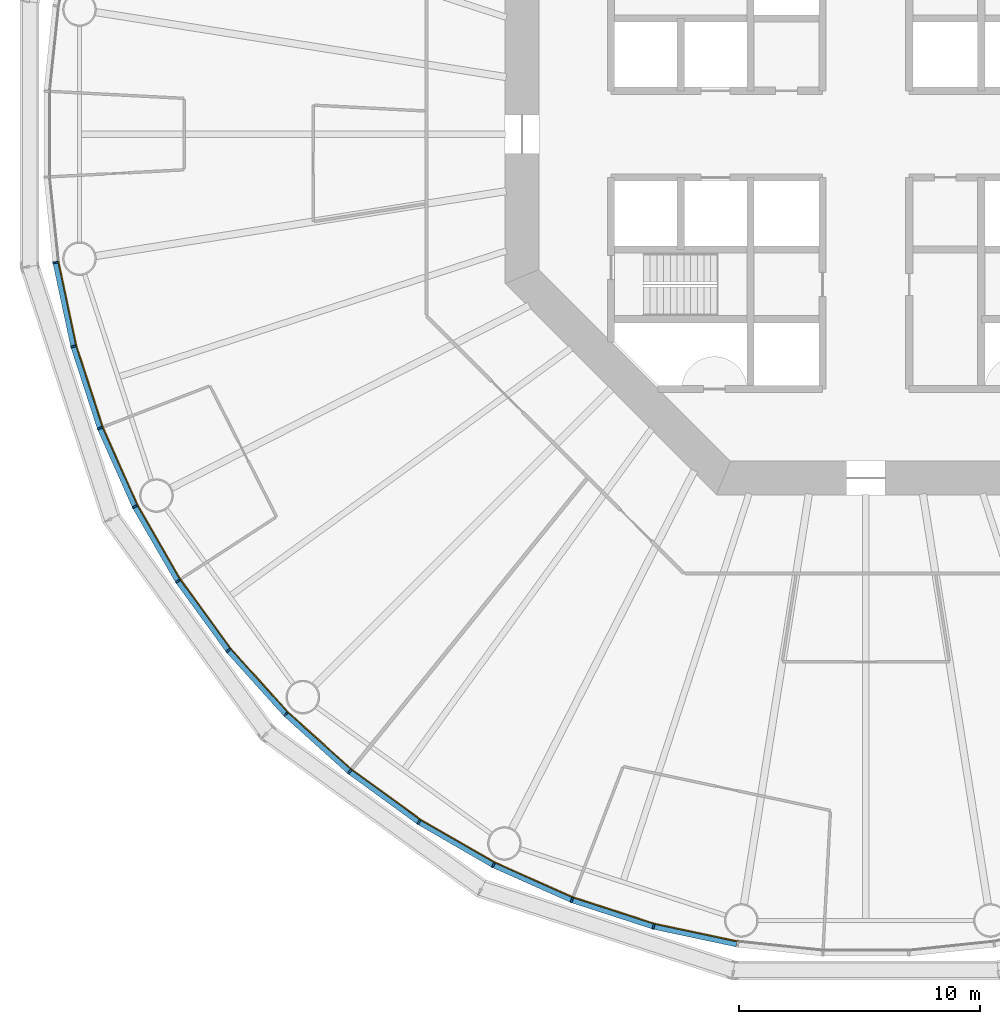
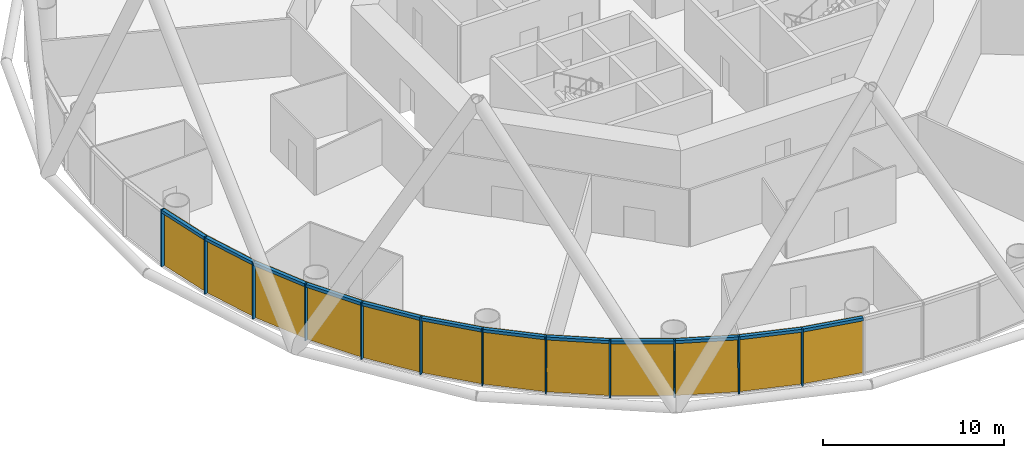
# One storey, part 7 of 13: 24 members, 4 curtain walls.
"""IFC4 building model written with IfcOpenShell, lengths in metres."""

from ifc_helpers import new_model, si_unit, direction, frame, origin, origin_2d, place, context, subcontext, project, spatial, polyline, rectangle, outline, extrude, material, layer, layer_set, material_profile, profile_set, type_object, element, aggregate, save


model = new_model("IFC4")

# Units and contexts
model_context = context("Model", 3, precision=1e-05, world=origin(), true_north=direction((0.0, 1.0)))
body_context = subcontext(model_context, "Body", "Model", "MODEL_VIEW")
ifc_project = project(units=[si_unit("LENGTHUNIT", "METRE"), si_unit("AREAUNIT", "SQUARE_METRE"), si_unit("VOLUMEUNIT", "CUBIC_METRE"), si_unit("PLANEANGLEUNIT", "RADIAN"), si_unit("MASSUNIT", "GRAM", prefix="KILO")], contexts=[model_context])

# Member
ifc_material_1 = material(Name="Anodised aluminium", Category="aluminium")
ifc_material_profile_1 = material_profile(ifc_material_1, rectangle(XDim=0.074951171875, YDim=0.219970703125, at=origin_2d()), Name="Mullion 75 x 220 mm anodised aluminium")
ifc_profile_set_1 = profile_set([ifc_material_profile_1], Name="Anodised aluminium")
member_type_1 = type_object("IfcMemberType", Name="Mullion 75 x 220 mm anodised aluminium", PredefinedType="MULLION", material=ifc_profile_set_1)
site_placement = place(None, origin())
building_placement = place(site_placement, origin())
storey_placement = place(building_placement, frame((0.0, 0.0, 54.0)))
member_1_placement = place(storey_placement, frame((56.31005859375, 74.6640625, 0.0), z_axis=(0.0, 0.0, 1.0), x_axis=(0.15643446504, -0.987688340595, 0.0)))
member_1 = element("IfcMember", 1, at=member_1_placement, type_object=member_type_1, Name="MULLION L11-30", PredefinedType="MULLION", context=body_context, shape_type="SweptSolid", body=[
    extrude(rectangle(XDim=0.074951171875, YDim=0.219970703125, at=origin_2d()), origin(), (0.0, 0.0, 1.0), 3.85009765625),
])

member_2_placement = place(storey_placement, frame((57.05224609375, 71.171630859375, 0.0), z_axis=(0.0, 0.0, 1.0), x_axis=(0.258819045103, -0.965925826289, 0.0)))
member_2 = element("IfcMember", 2, at=member_2_placement, type_object=member_type_1, Name="MULLION L11-31", PredefinedType="MULLION", context=body_context, shape_type="SweptSolid", body=[
    extrude(rectangle(XDim=0.074951171875, YDim=0.219970703125, at=origin_2d()), origin(), (0.0, 0.0, 1.0), 3.85009765625),
])

member_3_placement = place(storey_placement, frame((58.155517578125, 67.776123046875, 0.0), z_axis=(0.0, 0.0, 1.0), x_axis=(0.358367949545, -0.933580426497, 0.0)))
member_3 = element("IfcMember", 3, at=member_3_placement, type_object=member_type_1, Name="MULLION L11-32", PredefinedType="MULLION", context=body_context, shape_type="SweptSolid", body=[
    extrude(rectangle(XDim=0.074951171875, YDim=0.219970703125, at=origin_2d()), origin(), (0.0, 0.0, 1.0), 3.85009765625),
])

member_4_placement = place(storey_placement, frame((59.607666015625, 64.514404296875, 0.0), z_axis=(0.0, 0.0, 1.0), x_axis=(0.45399049974, -0.891006524188, 0.0)))
member_4 = element("IfcMember", 4, at=member_4_placement, type_object=member_type_1, Name="MULLION L11-33", PredefinedType="MULLION", context=body_context, shape_type="SweptSolid", body=[
    extrude(rectangle(XDim=0.074951171875, YDim=0.219970703125, at=origin_2d()), origin(), (0.0, 0.0, 1.0), 3.85009765625),
])

member_5_placement = place(storey_placement, frame((61.39306640625, 61.42236328125, 0.0), z_axis=(0.0, 0.0, 1.0), x_axis=(0.544639035015, -0.838670567945, 0.0)))
member_5 = element("IfcMember", 5, at=member_5_placement, type_object=member_type_1, Name="MULLION L11-34", PredefinedType="MULLION", context=body_context, shape_type="SweptSolid", body=[
    extrude(rectangle(XDim=0.074951171875, YDim=0.219970703125, at=origin_2d()), origin(), (0.0, 0.0, 1.0), 3.85009765625),
])

member_6_placement = place(storey_placement, frame((63.491455078125, 58.533935546875, 0.0), z_axis=(0.0, 0.0, 1.0), x_axis=(0.62932039105, -0.777145961457, 0.0)))
member_6 = element("IfcMember", 6, at=member_6_placement, type_object=member_type_1, Name="MULLION L11-35", PredefinedType="MULLION", context=body_context, shape_type="SweptSolid", body=[
    extrude(rectangle(XDim=0.074951171875, YDim=0.219970703125, at=origin_2d()), origin(), (0.0, 0.0, 1.0), 3.85009765625),
])

member_7_placement = place(storey_placement, frame((65.880615234375, 55.880615234375, 0.0), z_axis=(0.0, 0.0, 1.0), x_axis=(0.707106781187, -0.707106781187, 0.0)))
member_7 = element("IfcMember", 7, at=member_7_placement, type_object=member_type_1, Name="MULLION L11-36", PredefinedType="MULLION", context=body_context, shape_type="SweptSolid", body=[
    extrude(rectangle(XDim=0.074951171875, YDim=0.219970703125, at=origin_2d()), origin(), (0.0, 0.0, 1.0), 3.85009765625),
])

member_8_placement = place(storey_placement, frame((68.533935546875, 53.491455078125, 0.0), z_axis=(0.0, 0.0, 1.0), x_axis=(0.777145961457, -0.62932039105, 0.0)))
member_8 = element("IfcMember", 8, at=member_8_placement, type_object=member_type_1, Name="MULLION L11-37", PredefinedType="MULLION", context=body_context, shape_type="SweptSolid", body=[
    extrude(rectangle(XDim=0.074951171875, YDim=0.219970703125, at=origin_2d()), origin(), (0.0, 0.0, 1.0), 3.85009765625),
])

member_9_placement = place(storey_placement, frame((71.42236328125, 51.39306640625, 0.0), z_axis=(0.0, 0.0, 1.0), x_axis=(0.838670567945, -0.544639035015, 0.0)))
member_9 = element("IfcMember", 9, at=member_9_placement, type_object=member_type_1, Name="MULLION L11-38", PredefinedType="MULLION", context=body_context, shape_type="SweptSolid", body=[
    extrude(rectangle(XDim=0.074951171875, YDim=0.219970703125, at=origin_2d()), origin(), (0.0, 0.0, 1.0), 3.85009765625),
])

member_10_placement = place(storey_placement, frame((74.514404296875, 49.607666015625, 0.0), z_axis=(0.0, 0.0, 1.0), x_axis=(0.891006524188, -0.45399049974, 0.0)))
member_10 = element("IfcMember", 10, at=member_10_placement, type_object=member_type_1, Name="MULLION L11-39", PredefinedType="MULLION", context=body_context, shape_type="SweptSolid", body=[
    extrude(rectangle(XDim=0.074951171875, YDim=0.219970703125, at=origin_2d()), origin(), (0.0, 0.0, 1.0), 3.85009765625),
])

member_11_placement = place(storey_placement, frame((77.776123046875, 48.155517578125, 0.0), z_axis=(0.0, 0.0, 1.0), x_axis=(0.933580426497, -0.358367949545, 0.0)))
member_11 = element("IfcMember", 11, at=member_11_placement, type_object=member_type_1, Name="MULLION L11-40", PredefinedType="MULLION", context=body_context, shape_type="SweptSolid", body=[
    extrude(rectangle(XDim=0.074951171875, YDim=0.219970703125, at=origin_2d()), origin(), (0.0, 0.0, 1.0), 3.85009765625),
])

member_12_placement = place(storey_placement, frame((81.171630859375, 47.05224609375, 0.0), z_axis=(0.0, 0.0, 1.0), x_axis=(0.965925826289, -0.258819045103, 0.0)))
member_12 = element("IfcMember", 12, at=member_12_placement, type_object=member_type_1, Name="MULLION L11-41", PredefinedType="MULLION", context=body_context, shape_type="SweptSolid", body=[
    extrude(rectangle(XDim=0.074951171875, YDim=0.219970703125, at=origin_2d()), origin(), (0.0, 0.0, 1.0), 3.85009765625),
])

ifc_material_2 = material(Name="Anodised aluminium", Category="aluminium")
ifc_material_profile_2 = material_profile(ifc_material_2, rectangle(XDim=0.219970703125, YDim=0.199951171875, at=origin_2d()), Name="Transom 200 x 220 mm anodised aluminium")
ifc_profile_set_2 = profile_set([ifc_material_profile_2], Name="Anodised aluminium")
member_type_2 = type_object("IfcMemberType", Name="Transom 200 x 220 mm anodised aluminium", PredefinedType="USERDEFINED", material=ifc_profile_set_2)
member_13_placement = place(storey_placement, frame((56.31884765625, 74.62158203125, 3.75), z_axis=(0.207920776701, -0.978145669426, 0.0), x_axis=(0.978145669426, 0.207920776701, 0.0)))
member_13 = element("IfcMember", 13, at=member_13_placement, type_object=member_type_2, Name="TRANSOM L11-30", ObjectType="TRANSOM", PredefinedType="USERDEFINED", context=body_context, shape_type="SweptSolid", body=[
    extrude(rectangle(XDim=0.219970703125, YDim=0.199951171875, at=origin_2d()), origin(), (0.0, 0.0, 1.0), 3.48388671875),
])

member_14_placement = place(storey_placement, frame((57.0654296875, 71.130615234375, 3.75), z_axis=(0.309029029702, -0.951052605696, 0.0), x_axis=(0.951052605696, 0.309029029702, 0.0)))
member_14 = element("IfcMember", 14, at=member_14_placement, type_object=member_type_2, Name="TRANSOM L11-31", ObjectType="TRANSOM", PredefinedType="USERDEFINED", context=body_context, shape_type="SweptSolid", body=[
    extrude(rectangle(XDim=0.219970703125, YDim=0.199951171875, at=origin_2d()), origin(), (0.0, 0.0, 1.0), 3.484130859375),
])

member_15_placement = place(storey_placement, frame((58.173095703125, 67.736572265625, 3.75), z_axis=(0.406736576304, -0.913545487371, 0.0), x_axis=(0.913545487371, 0.406736576304, 0.0)))
member_15 = element("IfcMember", 15, at=member_15_placement, type_object=member_type_2, Name="TRANSOM L11-32", ObjectType="TRANSOM", PredefinedType="USERDEFINED", context=body_context, shape_type="SweptSolid", body=[
    extrude(rectangle(XDim=0.219970703125, YDim=0.199951171875, at=origin_2d()), origin(), (0.0, 0.0, 1.0), 3.48388671875),
])

member_16_placement = place(storey_placement, frame((59.629150390625, 64.476806640625, 3.75), z_axis=(0.500005538244, -0.866022206254, 0.0), x_axis=(0.866022206254, 0.500005538244, 0.0)))
member_16 = element("IfcMember", 16, at=member_16_placement, type_object=member_type_2, Name="TRANSOM L11-33", ObjectType="TRANSOM", PredefinedType="USERDEFINED", context=body_context, shape_type="SweptSolid", body=[
    extrude(rectangle(XDim=0.219970703125, YDim=0.199951171875, at=origin_2d()), origin(), (0.0, 0.0, 1.0), 3.48388671875),
])

member_17_placement = place(storey_placement, frame((61.418212890625, 61.38720703125, 3.75), z_axis=(0.587821627006, -0.80899056535, 0.0), x_axis=(0.80899056535, 0.587821627006, 0.0)))
member_17 = element("IfcMember", 17, at=member_17_placement, type_object=member_type_2, Name="TRANSOM L11-34", ObjectType="TRANSOM", PredefinedType="USERDEFINED", context=body_context, shape_type="SweptSolid", body=[
    extrude(rectangle(XDim=0.219970703125, YDim=0.199951171875, at=origin_2d()), origin(), (0.0, 0.0, 1.0), 3.48388671875),
])

member_18_placement = place(storey_placement, frame((63.520263671875, 58.501708984375, 3.75), z_axis=(0.669138930974, -0.743137329876, 0.0), x_axis=(0.743137329876, 0.669138930974, 0.0)))
member_18 = element("IfcMember", 18, at=member_18_placement, type_object=member_type_2, Name="TRANSOM L11-35", ObjectType="TRANSOM", PredefinedType="USERDEFINED", context=body_context, shape_type="SweptSolid", body=[
    extrude(rectangle(XDim=0.219970703125, YDim=0.199951171875, at=origin_2d()), origin(), (0.0, 0.0, 1.0), 3.484130859375),
])

member_19_placement = place(storey_placement, frame((65.91259765625, 55.8515625, 3.75), z_axis=(0.743137329876, -0.669138930974, 0.0), x_axis=(0.669138930974, 0.743137329876, 0.0)))
member_19 = element("IfcMember", 19, at=member_19_placement, type_object=member_type_2, Name="TRANSOM L11-36", ObjectType="TRANSOM", PredefinedType="USERDEFINED", context=body_context, shape_type="SweptSolid", body=[
    extrude(rectangle(XDim=0.219970703125, YDim=0.199951171875, at=origin_2d()), origin(), (0.0, 0.0, 1.0), 3.484130859375),
])

member_20_placement = place(storey_placement, frame((68.56884765625, 53.466064453125, 3.75), z_axis=(0.80899056535, -0.587821627006, 0.0), x_axis=(0.587821627006, 0.80899056535, 0.0)))
member_20 = element("IfcMember", 20, at=member_20_placement, type_object=member_type_2, Name="TRANSOM L11-37", ObjectType="TRANSOM", PredefinedType="USERDEFINED", context=body_context, shape_type="SweptSolid", body=[
    extrude(rectangle(XDim=0.219970703125, YDim=0.199951171875, at=origin_2d()), origin(), (0.0, 0.0, 1.0), 3.48388671875),
])

member_21_placement = place(storey_placement, frame((71.459716796875, 51.37109375, 3.75), z_axis=(0.866022206254, -0.500005538244, 0.0), x_axis=(0.500005538244, 0.866022206254, 0.0)))
member_21 = element("IfcMember", 21, at=member_21_placement, type_object=member_type_2, Name="TRANSOM L11-38", ObjectType="TRANSOM", PredefinedType="USERDEFINED", context=body_context, shape_type="SweptSolid", body=[
    extrude(rectangle(XDim=0.219970703125, YDim=0.199951171875, at=origin_2d()), origin(), (0.0, 0.0, 1.0), 3.48388671875),
])

member_22_placement = place(storey_placement, frame((74.553955078125, 49.590087890625, 3.75), z_axis=(0.913545487371, -0.406736576304, 0.0), x_axis=(0.406736576304, 0.913545487371, 0.0)))
member_22 = element("IfcMember", 22, at=member_22_placement, type_object=member_type_2, Name="TRANSOM L11-39", ObjectType="TRANSOM", PredefinedType="USERDEFINED", context=body_context, shape_type="SweptSolid", body=[
    extrude(rectangle(XDim=0.219970703125, YDim=0.199951171875, at=origin_2d()), origin(), (0.0, 0.0, 1.0), 3.48388671875),
])

member_23_placement = place(storey_placement, frame((77.817138671875, 48.14208984375, 3.75), z_axis=(0.951052605696, -0.309029029702, 0.0), x_axis=(0.309029029702, 0.951052605696, 0.0)))
member_23 = element("IfcMember", 23, at=member_23_placement, type_object=member_type_2, Name="TRANSOM L11-40", ObjectType="TRANSOM", PredefinedType="USERDEFINED", context=body_context, shape_type="SweptSolid", body=[
    extrude(rectangle(XDim=0.219970703125, YDim=0.199951171875, at=origin_2d()), origin(), (0.0, 0.0, 1.0), 3.484130859375),
])

member_24_placement = place(storey_placement, frame((81.2138671875, 47.043212890625, 3.75), z_axis=(0.978145669426, -0.207920776701, 0.0), x_axis=(0.207920776701, 0.978145669426, 0.0)))
member_24 = element("IfcMember", 24, at=member_24_placement, type_object=member_type_2, Name="TRANSOM L11-41", ObjectType="TRANSOM", PredefinedType="USERDEFINED", context=body_context, shape_type="SweptSolid", body=[
    extrude(rectangle(XDim=0.219970703125, YDim=0.199951171875, at=origin_2d()), origin(), (0.0, 0.0, 1.0), 3.48388671875),
])

# Site, building, storey
site = spatial("IfcSite", under=ifc_project, at=site_placement, CompositionType="ELEMENT")
building = spatial("IfcBuilding", under=site, at=building_placement, Name="Entoto Ring Tower", CompositionType="ELEMENT")
storey = spatial("IfcBuildingStorey", under=building, at=storey_placement, Name="L11", CompositionType="ELEMENT", Elevation=54.0)

# Curtain wall
ifc_material_3 = material(Name="Clear low-iron glass", Category="glass")
ifc_layer = layer(ifc_material_3, 0.0400390625)
ifc_layer_set = layer_set([ifc_layer], Name="Clear low-iron glass")
curtain_wall_type = type_object("IfcCurtainWallType", Name="Curtain wall system CW1 glazing 40 mm", PredefinedType="NOTDEFINED", material=ifc_layer_set)
curtain_wall_1_placement = place(storey_placement, origin())
curtain_wall_1 = element("IfcCurtainWall", 25, at=curtain_wall_1_placement, inside=storey, type_object=curtain_wall_type, Name="CW1 L11-11", PredefinedType="NOTDEFINED", context=body_context, shape_type="SweptSolid", body=[
    extrude(outline(polyline([(56.418701171875, 74.68115234375), (57.158447265625, 71.2001953125), (58.25830078125, 67.8154296875), (59.705810546875, 64.564208984375), (59.741455078125, 64.58251953125), (58.295654296875, 67.829833984375), (57.197265625, 71.21044921875), (56.458251953125, 74.6875), (56.418701171875, 74.68115234375)])), origin(), (0.0, 0.0, 1.0), 3.85009765625),
])

aggregate(curtain_wall_1, [member_1, member_2, member_3, member_13, member_14, member_15])

curtain_wall_2_placement = place(storey_placement, origin())
curtain_wall_2 = element("IfcCurtainWall", 26, at=curtain_wall_2_placement, inside=storey, type_object=curtain_wall_type, Name="CW1 L11-12", PredefinedType="NOTDEFINED", context=body_context, shape_type="SweptSolid", body=[
    extrude(outline(polyline([(59.705810546875, 64.564208984375), (61.485107421875, 61.482177734375), (63.5771484375, 58.60302734375), (65.958251953125, 55.958251953125), (65.986572265625, 55.986572265625), (63.608154296875, 58.62841796875), (61.518798828125, 61.504150390625), (59.741455078125, 64.58251953125), (59.705810546875, 64.564208984375)])), origin(), (0.0, 0.0, 1.0), 3.85009765625),
])

aggregate(curtain_wall_2, [member_4, member_5, member_6, member_16, member_17, member_18])

curtain_wall_3_placement = place(storey_placement, origin())
curtain_wall_3 = element("IfcCurtainWall", 27, at=curtain_wall_3_placement, inside=storey, type_object=curtain_wall_type, Name="CW1 L11-13", PredefinedType="NOTDEFINED", context=body_context, shape_type="SweptSolid", body=[
    extrude(outline(polyline([(65.958251953125, 55.958251953125), (68.60302734375, 53.5771484375), (71.482177734375, 51.485107421875), (74.564208984375, 49.705810546875), (74.58251953125, 49.741455078125), (71.504150390625, 51.518798828125), (68.62841796875, 53.608154296875), (65.986572265625, 55.986572265625), (65.958251953125, 55.958251953125)])), origin(), (0.0, 0.0, 1.0), 3.85009765625),
])

aggregate(curtain_wall_3, [member_7, member_8, member_9, member_19, member_20, member_21])

curtain_wall_4_placement = place(storey_placement, origin())
curtain_wall_4 = element("IfcCurtainWall", 28, at=curtain_wall_4_placement, inside=storey, type_object=curtain_wall_type, Name="CW1 L11-14", PredefinedType="NOTDEFINED", context=body_context, shape_type="SweptSolid", body=[
    extrude(outline(polyline([(74.564208984375, 49.705810546875), (77.8154296875, 48.25830078125), (81.2001953125, 47.158447265625), (84.68115234375, 46.418701171875), (84.6875, 46.458251953125), (81.21044921875, 47.197265625), (77.829833984375, 48.295654296875), (74.58251953125, 49.741455078125), (74.564208984375, 49.705810546875)])), origin(), (0.0, 0.0, 1.0), 3.85009765625),
])

aggregate(curtain_wall_4, [member_10, member_11, member_12, member_22, member_23, member_24])

save(model, "model.ifc")
